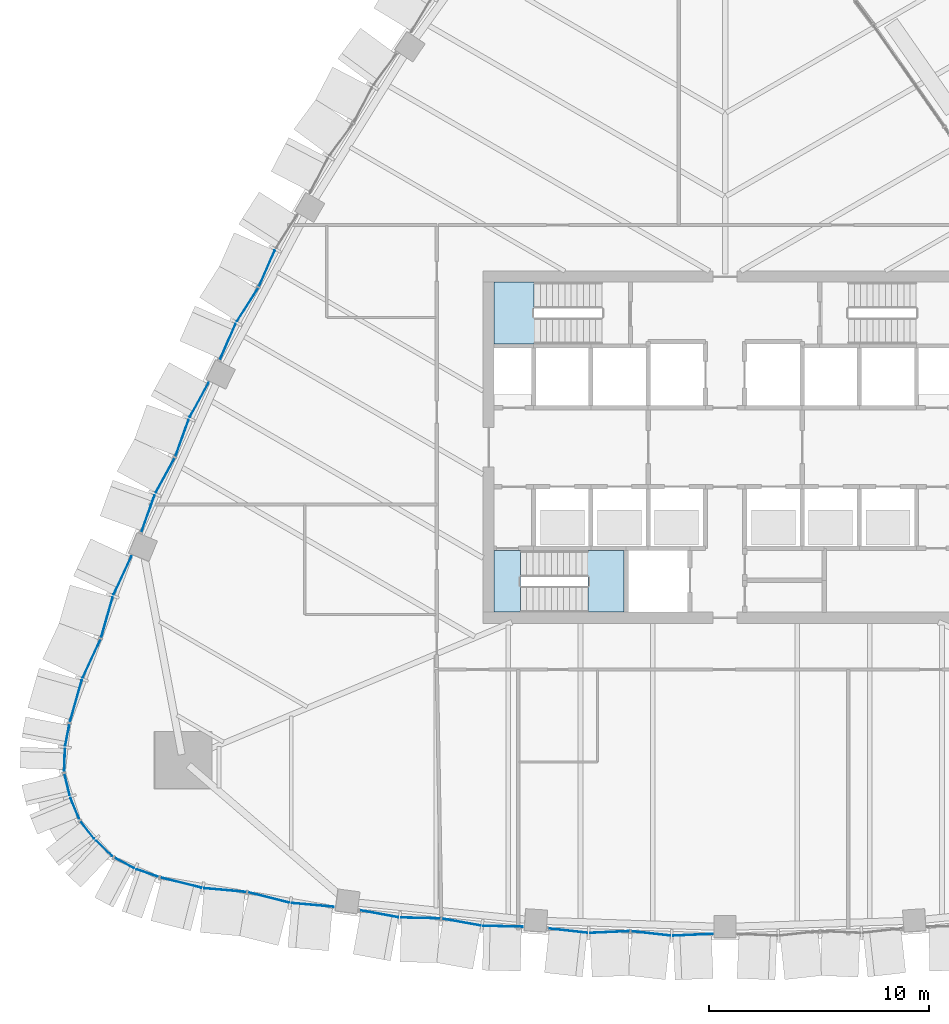
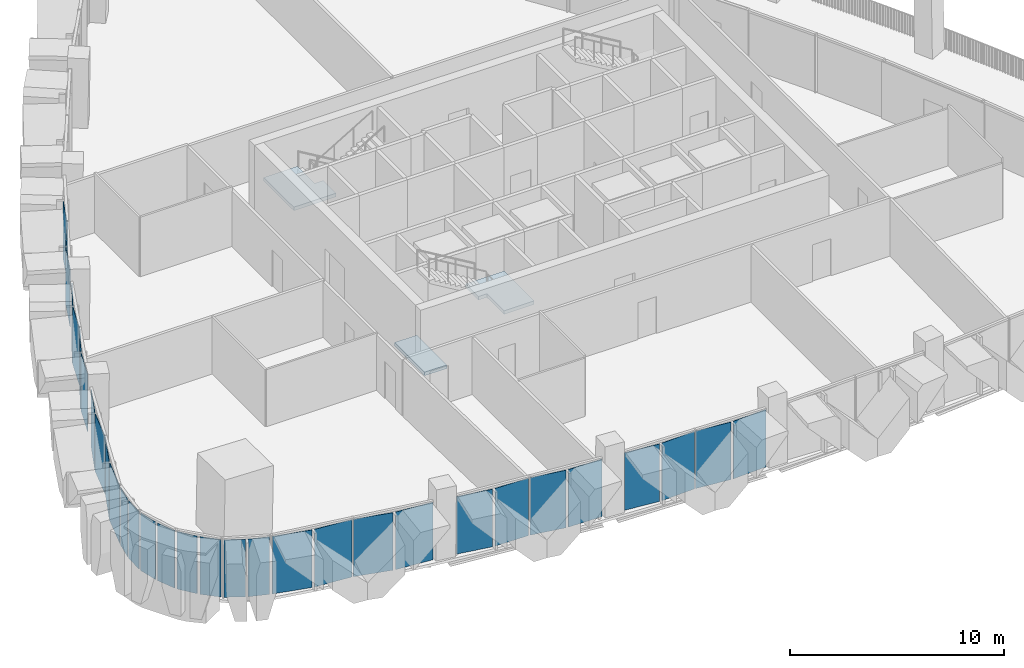
# One storey, part 8 of 22: 31 plates, 3 slabs, 12 elements without a shape of their own.
"""IFC4 building model written with IfcOpenShell, lengths in metres."""

from ifc_helpers import new_model, si_unit, direction, frame, origin, place, context, subcontext, project, spatial, polyline, outline, extrude, material, layer, layer_set, type_object, element, aggregate, save


model = new_model("IFC4")

# Units and contexts
model_context = context("Model", 3, precision=1e-05, world=origin(), true_north=direction((0.0, 1.0)))
body_context = subcontext(model_context, "Body", "Model", "MODEL_VIEW")
ifc_project = project(units=[si_unit("LENGTHUNIT", "METRE"), si_unit("AREAUNIT", "SQUARE_METRE"), si_unit("VOLUMEUNIT", "CUBIC_METRE"), si_unit("PLANEANGLEUNIT", "RADIAN"), si_unit("MASSUNIT", "GRAM", prefix="KILO")], contexts=[model_context])

# Site, building, storey
site_placement = place(None, origin())
site = spatial("IfcSite", under=ifc_project, at=site_placement, CompositionType="ELEMENT")
building_placement = place(site_placement, origin())
building = spatial("IfcBuilding", under=site, at=building_placement, Name="Sierra Prisma Convention Tower", CompositionType="ELEMENT")
storey_placement = place(building_placement, frame((0.0, 0.0, 141.800048828125)))
storey = spatial("IfcBuildingStorey", under=building, at=storey_placement, Name="L30", CompositionType="ELEMENT", Elevation=141.800048828125)

# Curtain wall, plates
ifc_material_1 = material(Name="Aluminium and glass curtain wall", Category="aluminium")
ifc_layer_1 = layer(ifc_material_1, 0.179931640625)
ifc_layer_set_1 = layer_set([ifc_layer_1], Name="CW-2 Faceted crystal curtain wall")
curtain_wall_type = type_object("IfcCurtainWallType", Name="CW-2 Faceted crystal curtain wall", PredefinedType="NOTDEFINED", material=ifc_layer_set_1)
curtain_wall_1_placement = place(storey_placement, origin())
curtain_wall_1 = element("IfcCurtainWall", 1, at=curtain_wall_1_placement, inside=storey, type_object=curtain_wall_type, Name="CW-2 NW4 L30", PredefinedType="NOTDEFINED")
ifc_material_2 = material(Name="Tinted glass bronze-grey IGU", Category="glass")
ifc_layer_2 = layer(ifc_material_2, 0.028076171875)
ifc_layer_set_2 = layer_set([ifc_layer_2], Name="CW-2 crystal pane")
plate_type = type_object("IfcPlateType", Name="CW-2 crystal pane", PredefinedType="CURTAIN_PANEL", material=ifc_layer_set_2)
plate_1_placement = place(storey_placement, frame((-21.197509765625, 7.303955078125, 0.0), z_axis=(-0.916491289614, 0.400054641345, 0.0), x_axis=(0.400054641345, 0.916491289614, 0.0)))
plate_1 = element("IfcPlate", 2, at=plate_1_placement, type_object=plate_type, Name="CW-2 pane NW4.1.2", PredefinedType="CURTAIN_PANEL", context=body_context, shape_type="SweptSolid", body=[
    extrude(outline(polyline([(0.0, 0.0), (1.793578233370113, 0.0), (1.793578233370113, -3.280029296875), (0.0, -3.280029296875), (0.0, 0.0)])), origin(), (0.0, 0.0, -1.0), 0.028076171875),
])
plate_2_placement = place(storey_placement, frame((-21.230224609375, 7.2421875, 0.0), z_axis=(-0.842617335218, 0.538512791296, 0.0), x_axis=(-0.538512791296, -0.842617335218, 0.0)))
plate_2 = element("IfcPlate", 3, at=plate_2_placement, type_object=plate_type, Name="CW-2 pane NW4.2.1", PredefinedType="CURTAIN_PANEL", context=body_context, shape_type="SweptSolid", body=[
    extrude(outline(polyline([(0.0, 0.0), (1.7934955828537584, 0.0), (1.7934955828537584, 3.280029296875), (0.0, 3.280029296875), (0.0, 0.0)])), origin(), (0.0, 0.0, -1.0), 0.028076171875),
])
plate_3_placement = place(storey_placement, frame((-22.974609375, 3.97265625, 0.0), z_axis=(-0.916491289614, 0.400054641345, 0.0), x_axis=(0.400054641345, 0.916491289614, 0.0)))
plate_3 = element("IfcPlate", 4, at=plate_3_placement, type_object=plate_type, Name="CW-2 pane NW4.2.2", PredefinedType="CURTAIN_PANEL", context=body_context, shape_type="SweptSolid", body=[
    extrude(outline(polyline([(0.0, 0.0), (1.793578233370113, 0.0), (1.793578233370113, -3.280029296875), (0.0, -3.280029296875), (0.0, 0.0)])), origin(), (0.0, 0.0, -1.0), 0.028076171875),
])
aggregate(curtain_wall_1, [plate_1, plate_2, plate_3])

curtain_wall_2_placement = place(storey_placement, origin())
curtain_wall_2 = element("IfcCurtainWall", 5, at=curtain_wall_2_placement, inside=storey, type_object=curtain_wall_type, Name="CW-2 NW5 L30", PredefinedType="NOTDEFINED")
plate_4_placement = place(storey_placement, frame((-23.482666015625, 2.93896484375, 0.0), z_axis=(-0.876858893272, 0.48074783545, 0.0), x_axis=(-0.48074783545, -0.876858893272, 0.0)))
plate_4 = element("IfcPlate", 6, at=plate_4_placement, type_object=plate_type, Name="CW-2 pane NW5.1.1", PredefinedType="CURTAIN_PANEL", context=body_context, shape_type="SweptSolid", body=[
    extrude(outline(polyline([(0.0, 0.0), (1.7855482109363592, 0.0), (1.7855482109363592, 3.280029296875), (0.0, 3.280029296875), (0.0, 0.0)])), origin(), (0.0, 0.0, -1.0), 0.028076171875),
])
plate_5_placement = place(storey_placement, frame((-24.997314453125, -0.42529296875, 0.0), z_axis=(-0.941230345598, 0.337765357203, 0.0), x_axis=(0.337765357203, 0.941230345598, 0.0)))
plate_5 = element("IfcPlate", 7, at=plate_5_placement, type_object=plate_type, Name="CW-2 pane NW5.1.2", PredefinedType="CURTAIN_PANEL", context=body_context, shape_type="SweptSolid", body=[
    extrude(outline(polyline([(0.0, 0.0), (1.7853439699801723, 0.0), (1.7853439699801723, -3.280029296875001), (0.0, -3.280029296875001), (0.0, 0.0)])), origin(), (0.0, 0.0, -1.0), 0.028076171875),
])
plate_6_placement = place(storey_placement, frame((-25.02587890625, -0.4892578125, 0.0), z_axis=(-0.876858893272, 0.48074783545, 0.0), x_axis=(-0.48074783545, -0.876858893272, 0.0)))
plate_6 = element("IfcPlate", 8, at=plate_6_placement, type_object=plate_type, Name="CW-2 pane NW5.2.1", PredefinedType="CURTAIN_PANEL", context=body_context, shape_type="SweptSolid", body=[
    extrude(outline(polyline([(0.0, 0.0), (1.7855482109363592, 0.0), (1.7855482109363592, 3.280029296875), (0.0, 3.280029296875), (0.0, 0.0)])), origin(), (0.0, 0.0, -1.0), 0.028076171875),
])
plate_7_placement = place(storey_placement, frame((-26.54052734375, -3.853515625, 0.0), z_axis=(-0.941230345598, 0.337765357203, 0.0), x_axis=(0.337765357203, 0.941230345598, 0.0)))
plate_7 = element("IfcPlate", 9, at=plate_7_placement, type_object=plate_type, Name="CW-2 pane NW5.2.2", PredefinedType="CURTAIN_PANEL", context=body_context, shape_type="SweptSolid", body=[
    extrude(outline(polyline([(0.0, 0.0), (1.7853439699801723, 0.0), (1.7853439699801723, -3.280029296875001), (0.0, -3.280029296875001), (0.0, 0.0)])), origin(), (0.0, 0.0, -1.0), 0.028076171875),
])
aggregate(curtain_wall_2, [plate_4, plate_5, plate_6, plate_7])

curtain_wall_3_placement = place(storey_placement, origin())
curtain_wall_3 = element("IfcCurtainWall", 10, at=curtain_wall_3_placement, inside=storey, type_object=curtain_wall_type, Name="CW-2 NW6 L30", PredefinedType="NOTDEFINED")
plate_8_placement = place(storey_placement, frame((-26.991455078125, -4.948486328125, 0.0), z_axis=(-0.907102503321, 0.420909786615, 0.0), x_axis=(-0.420909786615, -0.907102503321, 0.0)))
plate_8 = element("IfcPlate", 11, at=plate_8_placement, type_object=plate_type, Name="CW-2 pane NW6.1.1", PredefinedType="CURTAIN_PANEL", context=body_context, shape_type="SweptSolid", body=[
    extrude(outline(polyline([(0.0, 0.0), (1.9222219510650935, 0.0), (1.9222219510650935, 3.280029296875), (0.0, 3.280029296875), (0.0, 0.0)])), origin(), (0.0, 0.0, -1.0), 0.028076171875),
])
plate_9_placement = place(storey_placement, frame((-28.3720703125, -8.662109375, 0.0), z_axis=(-0.961772792847, 0.273848671603, 0.0), x_axis=(0.273848671603, 0.961772792847, 0.0)))
plate_9 = element("IfcPlate", 12, at=plate_9_placement, type_object=plate_type, Name="CW-2 pane NW6.1.2", PredefinedType="CURTAIN_PANEL", context=body_context, shape_type="SweptSolid", body=[
    extrude(outline(polyline([(0.0, 0.0), (1.9221096980995442, 0.0), (1.9221096980995442, -3.280029296875), (0.0, -3.280029296875), (0.0, 0.0)])), origin(), (0.0, 0.0, -1.0), 0.028076171875),
])
plate_10_placement = place(storey_placement, frame((-28.396484375, -8.727783203125, 0.0), z_axis=(-0.907079997771, 0.42095828492, 0.0), x_axis=(-0.42095828492, -0.907079997771, 0.0)))
plate_10 = element("IfcPlate", 13, at=plate_10_placement, type_object=plate_type, Name="CW-2 pane NW6.2.1", PredefinedType="CURTAIN_PANEL", context=body_context, shape_type="SweptSolid", body=[
    extrude(outline(polyline([(0.0, 0.0), (1.9220004932400945, 0.0), (1.9220004932400945, 3.280029296875), (0.0, 3.280029296875), (0.0, 0.0)])), origin(), (0.0, 0.0, -1.0), 0.028076171875),
])
plate_11_placement = place(storey_placement, frame((-29.77685546875, -12.44140625, 0.0), z_axis=(-0.961806240599, 0.273731173863, 0.0), x_axis=(0.273731173863, 0.961806240599, 0.0)))
plate_11 = element("IfcPlate", 14, at=plate_11_placement, type_object=plate_type, Name="CW-2 pane NW6.2.2", PredefinedType="CURTAIN_PANEL", context=body_context, shape_type="SweptSolid", body=[
    extrude(outline(polyline([(0.0, 0.0), (1.92204285485644, 0.0), (1.92204285485644, -3.280029296875), (0.0, -3.280029296875), (0.0, 0.0)])), origin(), (0.0, 0.0, -1.0), 0.028076171875),
])
aggregate(curtain_wall_3, [plate_8, plate_9, plate_10, plate_11])

curtain_wall_4_placement = place(storey_placement, origin())
curtain_wall_4 = element("IfcCurtainWall", 15, at=curtain_wall_4_placement, inside=storey, type_object=curtain_wall_type, Name="CW-2 SW1 L30", PredefinedType="NOTDEFINED")
plate_12_placement = place(storey_placement, frame((-29.80908203125, -12.57666015625, 0.0), z_axis=(-0.982085726019, 0.188434675017, 0.0), x_axis=(-0.188434675017, -0.982085726019, 0.0)))
plate_12 = element("IfcPlate", 16, at=plate_12_placement, type_object=plate_type, Name="CW-2 pane SW1.1.1", PredefinedType="CURTAIN_PANEL", context=body_context, shape_type="SweptSolid", body=[
    extrude(outline(polyline([(0.0, 0.0), (1.0092916649114723, 0.0), (1.0092916649114723, 3.280029296875001), (0.0, 3.280029296875001), (0.0, 0.0)])), origin(), (0.0, 0.0, -1.0), 0.028076171875),
])
plate_13_placement = place(storey_placement, frame((-30.046142578125, -14.70556640625, 0.0), z_axis=(-0.999474567923, 0.032412776404, 0.0), x_axis=(0.032412776404, 0.999474567923, 0.0)))
plate_13 = element("IfcPlate", 17, at=plate_13_placement, type_object=plate_type, Name="CW-2 pane SW1.1.2", PredefinedType="CURTAIN_PANEL", context=body_context, shape_type="SweptSolid", body=[
    extrude(outline(polyline([(0.0, 0.0), (1.009319391283659, 0.0), (1.009319391283659, -3.280029296875001), (0.0, -3.280029296875001), (0.0, 0.0)])), origin(), (0.0, 0.0, -1.0), 0.028076171875),
])
aggregate(curtain_wall_4, [plate_12, plate_13])

curtain_wall_5_placement = place(storey_placement, origin())
curtain_wall_5 = element("IfcCurtainWall", 18, at=curtain_wall_5_placement, inside=storey, type_object=curtain_wall_type, Name="CW-2 SW2 L30", PredefinedType="NOTDEFINED")
plate_14_placement = place(storey_placement, frame((-30.032470703125, -14.841796875, 0.0), z_axis=(-0.972839942942, -0.231478822823, 0.0), x_axis=(0.231478822823, -0.972839942942, 0.0)))
plate_14 = element("IfcPlate", 19, at=plate_14_placement, type_object=plate_type, Name="CW-2 pane SW2.1.1", PredefinedType="CURTAIN_PANEL", context=body_context, shape_type="SweptSolid", body=[
    extrude(outline(polyline([(0.0, 0.0), (1.009347530262836, 0.0), (1.009347530262836, 3.280029296875001), (0.0, 3.280029296875001), (0.0, 0.0)])), origin(), (0.0, 0.0, -1.0), 0.028076171875),
])
plate_15_placement = place(storey_placement, frame((-29.37451171875, -16.88037109375, 0.0), z_axis=(-0.924607959435, -0.380920098381, 0.0), x_axis=(-0.380920098381, 0.924607959435, 0.0)))
plate_15 = element("IfcPlate", 20, at=plate_15_placement, type_object=plate_type, Name="CW-2 pane SW2.1.2", PredefinedType="CURTAIN_PANEL", context=body_context, shape_type="SweptSolid", body=[
    extrude(outline(polyline([(0.0, 0.0), (1.0094544394208282, 0.0), (1.0094544394208282, -3.280029296875), (0.0, -3.280029296875), (0.0, 0.0)])), origin(), (0.0, 0.0, -1.0), 0.028076171875),
])
aggregate(curtain_wall_5, [plate_14, plate_15])

curtain_wall_6_placement = place(storey_placement, origin())
curtain_wall_6 = element("IfcCurtainWall", 21, at=curtain_wall_6_placement, inside=storey, type_object=curtain_wall_type, Name="CW-2 SW3 L30", PredefinedType="NOTDEFINED")
plate_16_placement = place(storey_placement, frame((-29.30615234375, -16.9990234375, 0.0), z_axis=(-0.792183168324, -0.610283399597, 0.0), x_axis=(0.610283399597, -0.792183168324, 0.0)))
plate_16 = element("IfcPlate", 22, at=plate_16_placement, type_object=plate_type, Name="CW-2 pane SW3.1.1", PredefinedType="CURTAIN_PANEL", context=body_context, shape_type="SweptSolid", body=[
    extrude(outline(polyline([(0.0, 0.0), (1.0093127181262984, 0.0), (1.0093127181262984, 3.280029296875), (0.0, 3.280029296875), (0.0, 0.0)])), origin(), (0.0, 0.0, -1.0), 0.028076171875),
])
plate_17_placement = place(storey_placement, frame((-27.86962890625, -18.587890625, 0.0), z_axis=(-0.686872056463, -0.726778355518, 0.0), x_axis=(-0.726778355518, 0.686872056463, 0.0)))
plate_17 = element("IfcPlate", 23, at=plate_17_placement, type_object=plate_type, Name="CW-2 pane SW3.1.2", PredefinedType="CURTAIN_PANEL", context=body_context, shape_type="SweptSolid", body=[
    extrude(outline(polyline([(0.0, 0.0), (1.0094447262422483, 0.0), (1.0094447262422483, -3.280029296875), (0.0, -3.280029296875), (0.0, 0.0)])), origin(), (0.0, 0.0, -1.0), 0.028076171875),
])
aggregate(curtain_wall_6, [plate_16, plate_17])

curtain_wall_7_placement = place(storey_placement, origin())
curtain_wall_7 = element("IfcCurtainWall", 24, at=curtain_wall_7_placement, inside=storey, type_object=curtain_wall_type, Name="CW-2 SW4 L30", PredefinedType="NOTDEFINED")
plate_18_placement = place(storey_placement, frame((-27.758544921875, -18.66796875, 0.0), z_axis=(-0.471617263371, -0.881803355001, 0.0), x_axis=(0.881803355001, -0.471617263371, 0.0)))
plate_18 = element("IfcPlate", 25, at=plate_18_placement, type_object=plate_type, Name="CW-2 pane SW4.1.1", PredefinedType="CURTAIN_PANEL", context=body_context, shape_type="SweptSolid", body=[
    extrude(outline(polyline([(0.0, 0.0), (1.0094503652114053, 0.0), (1.0094503652114053, 3.280029296875), (0.0, 3.280029296875), (0.0, 0.0)])), origin(), (0.0, 0.0, -1.0), 0.028076171875),
])
plate_19_placement = place(storey_placement, frame((-25.796142578125, -19.527099609375, 0.0), z_axis=(-0.327957729694, -0.944692398368, 0.0), x_axis=(-0.944692398368, 0.327957729694, 0.0)))
plate_19 = element("IfcPlate", 26, at=plate_19_placement, type_object=plate_type, Name="CW-2 pane SW4.1.2", PredefinedType="CURTAIN_PANEL", context=body_context, shape_type="SweptSolid", body=[
    extrude(outline(polyline([(0.0, 0.0), (1.0094431614965325, 0.0), (1.0094431614965325, -3.280029296875), (0.0, -3.280029296875), (0.0, 0.0)])), origin(), (0.0, 0.0, -1.0), 0.028076171875),
])
aggregate(curtain_wall_7, [plate_18, plate_19])

curtain_wall_8_placement = place(storey_placement, origin())
curtain_wall_8 = element("IfcCurtainWall", 27, at=curtain_wall_8_placement, inside=storey, type_object=curtain_wall_type, Name="CW-2 S1 L30", PredefinedType="NOTDEFINED")
plate_20_placement = place(storey_placement, frame((-25.6630859375, -19.56689453125, 0.0), z_axis=(-0.24373082245, -0.969842918306, 0.0), x_axis=(0.969842918306, -0.24373082245, 0.0)))
plate_20 = element("IfcPlate", 28, at=plate_20_placement, type_object=plate_type, Name="CW-2 pane S1.1.1", PredefinedType="CURTAIN_PANEL", context=body_context, shape_type="SweptSolid", body=[
    extrude(outline(polyline([(0.0, 0.0), (1.922226555777438, 0.0), (1.922226555777438, 3.280029296875), (0.0, 3.280029296875), (0.0, 0.0)])), origin(), (0.0, 0.0, -1.0), 0.028076171875),
])
plate_21_placement = place(storey_placement, frame((-21.756591796875, -20.22802734375, 0.0), z_axis=(-0.088909436355, -0.996039714131, 0.0), x_axis=(-0.996039714131, 0.088909436355, 0.0)))
plate_21 = element("IfcPlate", 29, at=plate_21_placement, type_object=plate_type, Name="CW-2 pane S1.1.2", PredefinedType="CURTAIN_PANEL", context=body_context, shape_type="SweptSolid", body=[
    extrude(outline(polyline([(0.0, 0.0), (1.922163096598446, 0.0), (1.922163096598446, -3.280029296875), (0.0, -3.280029296875), (0.0, 0.0)])), origin(), (0.0, 0.0, -1.0), 0.028076171875),
])
plate_22_placement = place(storey_placement, frame((-21.687744140625, -20.23974609375, 0.0), z_axis=(-0.24373082245, -0.969842918306, 0.0), x_axis=(0.969842918306, -0.24373082245, 0.0)))
plate_22 = element("IfcPlate", 30, at=plate_22_placement, type_object=plate_type, Name="CW-2 pane S1.2.1", PredefinedType="CURTAIN_PANEL", context=body_context, shape_type="SweptSolid", body=[
    extrude(outline(polyline([(0.0, 0.0), (1.922226555777438, 0.0), (1.922226555777438, 3.280029296875), (0.0, 3.280029296875), (0.0, 0.0)])), origin(), (0.0, 0.0, -1.0), 0.028076171875),
])
plate_23_placement = place(storey_placement, frame((-17.78125, -20.901123046875, 0.0), z_axis=(-0.089035443672, -0.996028458313, 0.0), x_axis=(-0.996028458313, 0.089035443672, 0.0)))
plate_23 = element("IfcPlate", 31, at=plate_23_placement, type_object=plate_type, Name="CW-2 pane S1.2.2", PredefinedType="CURTAIN_PANEL", context=body_context, shape_type="SweptSolid", body=[
    extrude(outline(polyline([(0.0, 0.0), (1.9221848183856456, 0.0), (1.9221848183856456, -3.280029296875001), (0.0, -3.280029296875001), (0.0, 0.0)])), origin(), (0.0, 0.0, -1.0), 0.028076171875),
])
aggregate(curtain_wall_8, [plate_20, plate_21, plate_22, plate_23])

curtain_wall_9_placement = place(storey_placement, origin())
curtain_wall_9 = element("IfcCurtainWall", 32, at=curtain_wall_9_placement, inside=storey, type_object=curtain_wall_type, Name="CW-2 S2 L30", PredefinedType="NOTDEFINED")
plate_24_placement = place(storey_placement, frame((-16.607421875, -21.057861328125, 0.0), z_axis=(-0.178175424776, -0.983998738823, 0.0), x_axis=(0.983998738823, -0.178175424776, 0.0)))
plate_24 = element("IfcPlate", 33, at=plate_24_placement, type_object=plate_type, Name="CW-2 pane S2.1.1", PredefinedType="CURTAIN_PANEL", context=body_context, shape_type="SweptSolid", body=[
    extrude(outline(polyline([(0.0, 0.0), (1.7854046638319743, 0.0), (1.7854046638319743, 3.280029296875), (0.0, 3.280029296875), (0.0, 0.0)])), origin(), (0.0, 0.0, -1.0), 0.028076171875),
])
plate_25_placement = place(storey_placement, frame((-12.936767578125, -21.428466796875, 0.0), z_axis=(-0.022016273507, -0.999757612475, 0.0), x_axis=(-0.999757612475, 0.022016273507, 0.0)))
plate_25 = element("IfcPlate", 34, at=plate_25_placement, type_object=plate_type, Name="CW-2 pane S2.1.2", PredefinedType="CURTAIN_PANEL", context=body_context, shape_type="SweptSolid", body=[
    extrude(outline(polyline([(0.0, 0.0), (1.7853448546963508, 0.0), (1.7853448546963508, -3.280029296875), (0.0, -3.280029296875), (0.0, 0.0)])), origin(), (0.0, 0.0, -1.0), 0.028076171875),
])
plate_26_placement = place(storey_placement, frame((-12.866943359375, -21.435546875, 0.0), z_axis=(-0.178175424776, -0.983998738823, 0.0), x_axis=(0.983998738823, -0.178175424776, 0.0)))
plate_26 = element("IfcPlate", 35, at=plate_26_placement, type_object=plate_type, Name="CW-2 pane S2.2.1", PredefinedType="CURTAIN_PANEL", context=body_context, shape_type="SweptSolid", body=[
    extrude(outline(polyline([(0.0, 0.0), (1.7854046638319743, 0.0), (1.7854046638319743, 3.280029296875), (0.0, 3.280029296875), (0.0, 0.0)])), origin(), (0.0, 0.0, -1.0), 0.028076171875),
])
plate_27_placement = place(storey_placement, frame((-9.196044921875, -21.80615234375, 0.0), z_axis=(-0.022149925461, -0.999754660305, 0.0), x_axis=(-0.999754660305, 0.022149925461, 0.0)))
plate_27 = element("IfcPlate", 36, at=plate_27_placement, type_object=plate_type, Name="CW-2 pane S2.2.2", PredefinedType="CURTAIN_PANEL", context=body_context, shape_type="SweptSolid", body=[
    extrude(outline(polyline([(0.0, 0.0), (1.7855943271671615, 0.0), (1.7855943271671615, -3.280029296875001), (0.0, -3.280029296875001), (0.0, 0.0)])), origin(), (0.0, 0.0, -1.0), 0.028076171875),
])
aggregate(curtain_wall_9, [plate_24, plate_25, plate_26, plate_27])

curtain_wall_10_placement = place(storey_placement, origin())
curtain_wall_10 = element("IfcCurtainWall", 37, at=curtain_wall_10_placement, inside=storey, type_object=curtain_wall_type, Name="CW-2 S3 L30", PredefinedType="NOTDEFINED")
plate_28_placement = place(storey_placement, frame((-8.046630859375, -21.8828125, 0.0), z_axis=(-0.111895591025, -0.99371996896, 0.0), x_axis=(0.99371996896, -0.111895591025, 0.0)))
plate_28 = element("IfcPlate", 38, at=plate_28_placement, type_object=plate_type, Name="CW-2 pane S3.1.1", PredefinedType="CURTAIN_PANEL", context=body_context, shape_type="SweptSolid", body=[
    extrude(outline(polyline([(0.0, 0.0), (1.7934897336982394, 0.0), (1.7934897336982394, 3.2800292968749996), (0.0, 3.2800292968749996), (0.0, 0.0)])), origin(), (0.0, 0.0, -1.0), 0.028076171875),
])
plate_29_placement = place(storey_placement, frame((-4.34326171875, -22.007080078125, 0.0), z_axis=(0.045061838377, -0.998984199436, 0.0), x_axis=(-0.998984199436, -0.045061838377, 0.0)))
plate_29 = element("IfcPlate", 39, at=plate_29_placement, type_object=plate_type, Name="CW-2 pane S3.1.2", PredefinedType="CURTAIN_PANEL", context=body_context, shape_type="SweptSolid", body=[
    extrude(outline(polyline([(0.0, 0.0), (1.793325567373433, 0.0), (1.793325567373433, -3.280029296875), (0.0, -3.280029296875), (0.0, 0.0)])), origin(), (0.0, 0.0, -1.0), 0.028076171875),
])
plate_30_placement = place(storey_placement, frame((-4.273193359375, -22.009521484375, 0.0), z_axis=(-0.111895591025, -0.99371996896, 0.0), x_axis=(0.99371996896, -0.111895591025, 0.0)))
plate_30 = element("IfcPlate", 40, at=plate_30_placement, type_object=plate_type, Name="CW-2 pane S3.2.1", PredefinedType="CURTAIN_PANEL", context=body_context, shape_type="SweptSolid", body=[
    extrude(outline(polyline([(0.0, 0.0), (1.7934897336982394, 0.0), (1.7934897336982394, 3.2800292968749996), (0.0, 3.2800292968749996), (0.0, 0.0)])), origin(), (0.0, 0.0, -1.0), 0.028076171875),
])
plate_31_placement = place(storey_placement, frame((-0.569580078125, -22.1337890625, 0.0), z_axis=(0.044919865896, -0.998990593373, 0.0), x_axis=(-0.998990593373, -0.044919865896, 0.0)))
plate_31 = element("IfcPlate", 41, at=plate_31_placement, type_object=plate_type, Name="CW-2 pane S3.2.2", PredefinedType="CURTAIN_PANEL", context=body_context, shape_type="SweptSolid", body=[
    extrude(outline(polyline([(0.0, 0.0), (1.7935584766871744, 0.0), (1.7935584766871744, -3.280029296875001), (0.0, -3.280029296875001), (0.0, 0.0)])), origin(), (0.0, 0.0, -1.0), 0.028076171875),
])
aggregate(curtain_wall_10, [plate_28, plate_29, plate_30, plate_31])

# Stair, slab
ifc_material_3 = material(Name="Concrete C30/37", Category="concrete")
stair_type = type_object("IfcStairType", Name="Stair dog-leg 1200 RC", PredefinedType="HALF_TURN_STAIR", material=ifc_material_3)
stair_1_placement = place(storey_placement, origin())
stair_1 = element("IfcStair", 42, at=stair_1_placement, inside=storey, type_object=stair_type, Name="L30 S1", PredefinedType="HALF_TURN_STAIR")
ifc_material_4 = material(Name="Concrete C35/45", Category="concrete")
ifc_layer_3 = layer(ifc_material_4, 0.199951171875)
ifc_layer_set_3 = layer_set([ifc_layer_3], Name="Stair landing slab")
slab_type = type_object("IfcSlabType", Name="Stair landing slab", PredefinedType="LANDING", material=ifc_layer_set_3)
slab_1_placement = place(storey_placement, frame((0.0, 0.0, 1.800048828125)))
slab_1 = element("IfcSlab", 43, at=slab_1_placement, type_object=slab_type, Name="S1 landing 1", PredefinedType="LANDING", context=body_context, shape_type="SweptSolid", body=[
    extrude(outline(polyline([(-4.60009765625, -4.699951171875), (-4.60009765625, -7.5), (-6.221923828125, -7.5), (-6.221923828125, -5.89990234375), (-6.669921875, -5.89990234375), (-6.669921875, -4.699951171875), (-4.60009765625, -4.699951171875)])), origin(), (0.0, 0.0, 1.0), 0.199951171875),
])
aggregate(stair_1, [slab_1])

# Slab
slab_2_placement = place(storey_placement, frame((0.0, 0.0, -0.199951171875)))
element("IfcSlab", 44, at=slab_2_placement, inside=storey, type_object=slab_type, Name="S1 floor landing L30", PredefinedType="LANDING", context=body_context, shape_type="SweptSolid", body=[
    extrude(outline(polyline([(-10.5, -7.5), (-9.298095703125, -7.5), (-9.298095703125, -4.699951171875), (-10.5, -4.699951171875), (-10.5, -7.5)])), origin(), (0.0, 0.0, 1.0), 0.199951171875),
])

# Stair, slab
stair_2_placement = place(storey_placement, origin())
stair_2 = element("IfcStair", 45, at=stair_2_placement, inside=storey, type_object=stair_type, Name="L30 S3", PredefinedType="HALF_TURN_STAIR")
slab_3_placement = place(storey_placement, frame((0.0, 0.0, 1.800048828125)))
slab_3 = element("IfcSlab", 46, at=slab_3_placement, type_object=slab_type, Name="S3 landing 1", PredefinedType="LANDING", context=body_context, shape_type="SweptSolid", body=[
    extrude(outline(polyline([(-8.22998046875, 5.89990234375), (-8.22998046875, 4.699951171875), (-10.5, 4.699951171875), (-10.5, 7.5), (-8.677978515625, 7.5), (-8.677978515625, 5.89990234375), (-8.22998046875, 5.89990234375)])), origin(), (0.0, 0.0, 1.0), 0.199951171875),
])
aggregate(stair_2, [slab_3])

save(model, "model.ifc")
